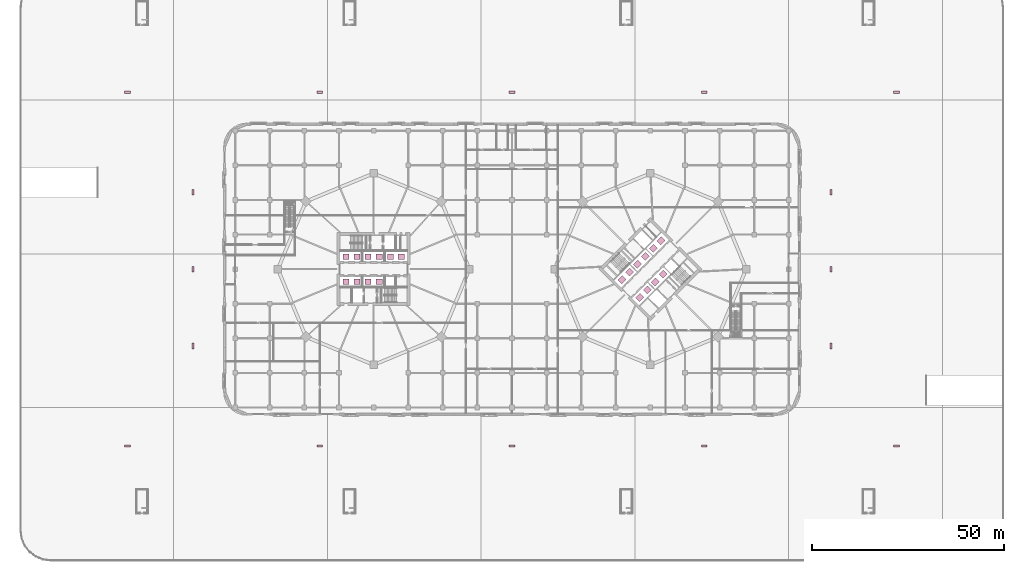
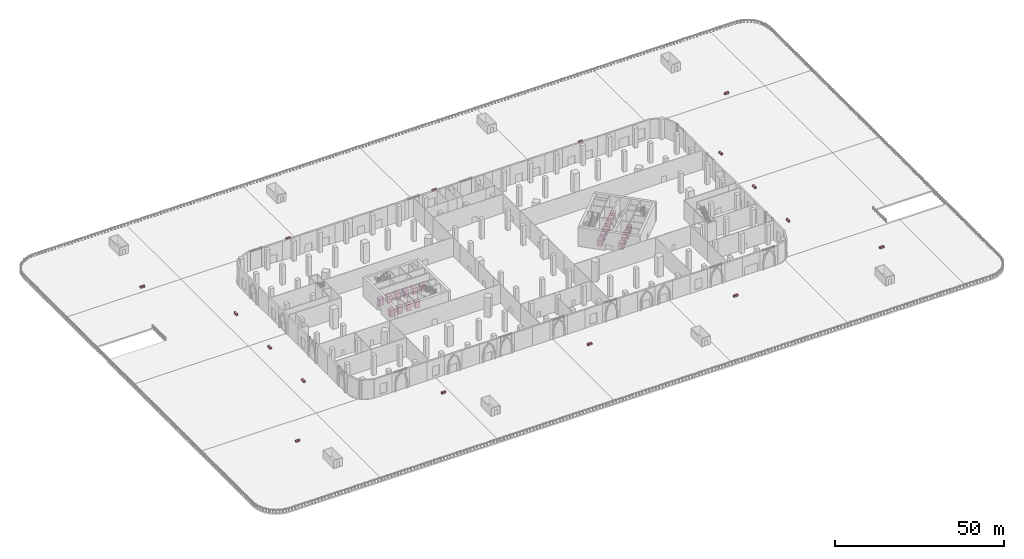
# One storey, part 48 of 48: 20 transport elements, 16 furniture elements.
"""IFC4 building model written with IfcOpenShell, lengths in metres."""

import ifcopenshell
import ifcopenshell.guid

model = None  # the IFC model being written
_history = None  # IfcOwnerHistory: only IFC2X3 demands one
_inside = {}  # id of a spatial element -> (the spatial element, [elements in it])
_under = {}  # id of a project, library or spatial element -> (it, [spatial elements below it])
_declared = {}  # id of a project -> (the project, [libraries it declares])
_typed = {}  # id of a type object -> (the type object, [elements of that type])
_made_of = {}  # id of a material, layer set ... -> (it, [elements and type objects made of it])


def new_model(schema):
    """Start an empty IFC model of exactly this schema.

    Asked for "IFC4X3", IfcOpenShell would pick the latest addendum, in which some entities
    have other attributes; the version numbers below select the first issue.
    IFC2X3 requires an IfcOwnerHistory on every rooted entity: one is made here for all.
    """
    global model, _history
    if schema == "IFC4X3":
        model = ifcopenshell.file(schema_version=(4, 3, 0, 0))
    else:
        model = ifcopenshell.file(schema=schema)
    _inside.clear()
    _under.clear()
    _declared.clear()
    _typed.clear()
    _made_of.clear()
    _history = None
    if model.schema == "IFC2X3":
        org = make("IfcOrganization", Name="unknown")
        user = make(
            "IfcPersonAndOrganization",
            ThePerson=make("IfcPerson", FamilyName="unknown"),
            TheOrganization=org,
        )
        app = make(
            "IfcApplication",
            ApplicationDeveloper=org,
            Version="unknown",
            ApplicationFullName="unknown",
            ApplicationIdentifier="unknown",
        )
        _history = make(
            "IfcOwnerHistory",
            OwningUser=user,
            OwningApplication=app,
            ChangeAction="ADDED",
            CreationDate=0,
        )
    return model


def make(cls, **values):
    """One entity of the class cls with the attributes given. An attribute that is None is left unset."""
    return model.create_entity(
        cls, **{name: value for name, value in values.items() if value is not None}
    )


def rooted(cls, **values):
    """An entity with a GlobalId (a new one), such as an element, a storey or a relation."""
    return make(cls, GlobalId=ifcopenshell.guid.new(), OwnerHistory=_history, **values)


def si_unit(unit_type, name, prefix=None):
    """IfcSIUnit, for example si_unit("LENGTHUNIT", "METRE", prefix="MILLI")."""
    return make("IfcSIUnit", UnitType=unit_type, Prefix=prefix, Name=name)


def assignment(units):
    """IfcUnitAssignment: the units of a project."""
    return None if units is None else make("IfcUnitAssignment", Units=units)


def point(xyz):
    """IfcCartesianPoint."""
    return None if xyz is None else make("IfcCartesianPoint", Coordinates=xyz)


def direction(xyz):
    """IfcDirection."""
    return None if xyz is None else make("IfcDirection", DirectionRatios=xyz)


def frame(location, z_axis=None, x_axis=None):
    """IfcAxis2Placement3D, a coordinate frame: its origin and axes. An axis left out is left unset."""
    return make(
        "IfcAxis2Placement3D",
        Location=point(location),
        Axis=direction(z_axis),
        RefDirection=direction(x_axis),
    )


def frame_2d(location, x_axis=None):
    """IfcAxis2Placement2D, a coordinate frame in the plane: its origin and x axis."""
    return make(
        "IfcAxis2Placement2D", Location=point(location), RefDirection=direction(x_axis)
    )


def origin():
    """The frame at (0, 0, 0) with its axes left unset."""
    return frame((0.0, 0.0, 0.0))


def origin_2d():
    """The frame at (0, 0) in the plane with its x axis left unset."""
    return frame_2d((0.0, 0.0))


def place(relative_to, where):
    """IfcLocalPlacement: puts the frame where relative to a parent placement (None: the world)."""
    return make(
        "IfcLocalPlacement", PlacementRelTo=relative_to, RelativePlacement=where
    )


def context(
    kind, dimensions, precision=None, world=None, true_north=None, identifier=None
):
    """IfcGeometricRepresentationContext, for example the 3D "Model" context."""
    return make(
        "IfcGeometricRepresentationContext",
        ContextIdentifier=identifier,
        ContextType=kind,
        CoordinateSpaceDimension=dimensions,
        Precision=precision,
        WorldCoordinateSystem=world,
        TrueNorth=true_north,
    )


def subcontext(parent, identifier, kind, view, scale=None):
    """IfcGeometricRepresentationSubContext, for example "Body" below "Model"."""
    return make(
        "IfcGeometricRepresentationSubContext",
        ContextIdentifier=identifier,
        ContextType=kind,
        ParentContext=parent,
        TargetScale=scale,
        TargetView=view,
    )


def project(units=None, contexts=None):
    """IfcProject with its units and contexts."""
    return rooted(
        "IfcProject",
        Name="project",
        RepresentationContexts=contexts,
        UnitsInContext=assignment(units),
    )


def spatial(cls, under=None, at=None, **own):
    """A site, building, storey or space (cls), placed at a placement, below another one or the project."""
    s = rooted(cls, ObjectPlacement=at, **own)
    if under is not None:
        _under.setdefault(under.id(), (under, []))[1].append(s)
    return s


def profile(cls, at=None, kind="AREA", **sizes):
    """A parametric profile (cls). Its sizes go by their IFC names, for example OverallWidth=200.0."""
    return make(cls, ProfileType=kind, Position=at, **sizes)


def rectangle(**sizes):
    """IfcRectangleProfileDef."""
    return profile("IfcRectangleProfileDef", **sizes)


def extrude(swept, where, along, depth):
    """IfcExtrudedAreaSolid: the profile swept, set in the frame where, extruded along a direction by depth."""
    return make(
        "IfcExtrudedAreaSolid",
        SweptArea=swept,
        Position=where,
        ExtrudedDirection=direction(along),
        Depth=depth,
    )


def shape(context_of_items, identifier, shape_type, items):
    """IfcShapeRepresentation: the items that make up one representation, for example the "Body"."""
    return make(
        "IfcShapeRepresentation",
        ContextOfItems=context_of_items,
        RepresentationIdentifier=identifier,
        RepresentationType=shape_type,
        Items=items,
    )


def material(Name=None, Category=None):
    """IfcMaterial."""
    return make("IfcMaterial", Name=Name, Category=Category)


def made_of(thing, what):
    """Note that an element or type object is made of a material, layer set ...; save() writes the relation."""
    if what is not None:
        _made_of.setdefault(what.id(), (what, []))[1].append(thing)
    return thing


def type_object(cls, material=None, **own):
    """A type object (cls), such as IfcWallType, which elements share."""
    return made_of(rooted(cls, **own), material)


def element(
    cls,
    number,
    at=None,
    inside=None,
    cuts=None,
    type_object=None,
    material=None,
    context=None,
    identifier="Body",
    shape_type=None,
    held_by="IfcProductDefinitionShape",
    body=None,
    shapes=None,
    **own,
):
    """One element of the class cls, such as IfcWall. Its Tag is "e" and its number.

    at: its placement. inside: the storey or other place that contains it. cuts: it is an
    opening in that element (IfcRelVoidsElement). A single representation is given by context,
    identifier, shape_type and body (its items); several are given by shapes. held_by: the class
    of the entity that holds the representations. save() writes the other relations.
    """
    e = rooted(cls, Tag="e%d" % number, ObjectPlacement=at, **own)
    if body is not None:
        shapes = [shape(context, identifier, shape_type, body)]
    if shapes is not None:
        e.Representation = make(held_by, Representations=shapes)
    if inside is not None:
        _inside.setdefault(inside.id(), (inside, []))[1].append(e)
    if cuts is not None:
        rooted(
            "IfcRelVoidsElement", RelatingBuildingElement=cuts, RelatedOpeningElement=e
        )
    if type_object is not None:
        _typed.setdefault(type_object.id(), (type_object, []))[1].append(e)
    return made_of(e, material)


def aggregate(whole, parts):
    """IfcRelAggregates: a whole, such as a stair, and the parts it consists of."""
    return rooted("IfcRelAggregates", RelatingObject=whole, RelatedObjects=parts)


def save(model, path):
    """Write the relations noted so far, then the file.

    IfcRelAggregates (storeys below a building ...), IfcRelContainedInSpatialStructure (elements
    in a storey), IfcRelDefinesByType, IfcRelAssociatesMaterial and IfcRelDeclares: one each for
    every whole, place, type object, material and project.
    """
    for whole, parts in _under.values():
        aggregate(whole, parts)
    for where, things in _inside.values():
        rooted(
            "IfcRelContainedInSpatialStructure",
            RelatedElements=things,
            RelatingStructure=where,
        )
    for kind, things in _typed.values():
        rooted("IfcRelDefinesByType", RelatedObjects=things, RelatingType=kind)
    for what, things in _made_of.values():
        rooted("IfcRelAssociatesMaterial", RelatedObjects=things, RelatingMaterial=what)
    for by, libraries in _declared.values():
        rooted("IfcRelDeclares", RelatingContext=by, RelatedDefinitions=libraries)
    model.write(path)


model = new_model("IFC4")

# Units and contexts
model_context = context("Model", 3, precision=1e-05, world=origin(), true_north=direction((0.0, 1.0)))
body_context = subcontext(model_context, "Body", "Model", "MODEL_VIEW")
ifc_project = project(units=[si_unit("LENGTHUNIT", "METRE"), si_unit("AREAUNIT", "SQUARE_METRE"), si_unit("VOLUMEUNIT", "CUBIC_METRE"), si_unit("PLANEANGLEUNIT", "RADIAN"), si_unit("MASSUNIT", "GRAM", prefix="KILO")], contexts=[model_context])

# Site, building, storey
site_placement = place(None, origin())
site = spatial("IfcSite", under=ifc_project, at=site_placement, CompositionType="ELEMENT")
building_placement = place(site_placement, origin())
building = spatial("IfcBuilding", under=site, at=building_placement, Name="Ogive Gate Towers", CompositionType="ELEMENT")
storey_placement = place(building_placement, origin())
storey = spatial("IfcBuildingStorey", under=building, at=storey_placement, Name="L00", CompositionType="ELEMENT", Elevation=0.0)

# Transport elements
ifc_material_1 = material(Name="Stainless steel and glass lift car", Category="steel")
transport_element_type = type_object("IfcTransportElementType", Name="Passenger lift car 1600 x 1500", PredefinedType="ELEVATOR", material=ifc_material_1)
for number, where, z_axis, x_axis, name in (
    (1, (-43.1875, 3.25, 0.0), (0.0, 0.0, 1.0), (1.0, 0.0, 0.0), "Passenger lift T1-A1"),
    (2, (-40.35009765625, 3.25, 0.0), (0.0, 0.0, 1.0), (1.0, 0.0, 0.0), "Passenger lift T1-A2"),
    (3, (-37.449951171875, 3.25, 0.0), (0.0, 0.0, 1.0), (1.0, 0.0, 0.0), "Passenger lift T1-A3"),
    (4, (-34.550048828125, 3.25, 0.0), (0.0, 0.0, 1.0), (1.0, 0.0, 0.0), "Passenger lift T1-A4"),
    (5, (-31.64990234375, 3.25, 0.0), (0.0, 0.0, 1.0), (1.0, 0.0, 0.0), "Passenger lift T1-A5"),
    (6, (-28.8125, 3.25, 0.0), (0.0, 0.0, 1.0), (1.0, 0.0, 0.0), "Passenger lift T1-A6"),
    (7, (-43.1875, -3.25, 0.0), (0.0, 0.0, 1.0), (1.0, 0.0, 0.0), "Passenger lift T1-S1"),
    (8, (-40.35009765625, -3.25, 0.0), (0.0, 0.0, 1.0), (1.0, 0.0, 0.0), "Passenger lift T1-S2"),
    (9, (-37.449951171875, -3.25, 0.0), (0.0, 0.0, 1.0), (1.0, 0.0, 0.0), "Passenger lift T1-S3"),
    (10, (-34.550048828125, -3.25, 0.0), (0.0, 0.0, 1.0), (1.0, 0.0, 0.0), "Passenger lift T1-S4"),
    (11, (28.61962890625, -2.7841796875, 0.0), (0.0, 0.0, 1.0), (0.707106781187, 0.707106781187, 0.0), "Passenger lift T2-A1"),
    (12, (30.6259765625, -0.77783203125, 0.0), (0.0, 0.0, 1.0), (0.707106781187, 0.707106781187, 0.0), "Passenger lift T2-A2"),
    (13, (32.676513671875, 1.272705078125, 0.0), (0.0, 0.0, 1.0), (0.707106781187, 0.707106781187, 0.0), "Passenger lift T2-A3"),
    (14, (34.727294921875, 3.323486328125, 0.0), (0.0, 0.0, 1.0), (0.707106781187, 0.707106781187, 0.0), "Passenger lift T2-A4"),
    (15, (36.77783203125, 5.3740234375, 0.0), (0.0, 0.0, 1.0), (0.707106781187, 0.707106781187, 0.0), "Passenger lift T2-A5"),
    (16, (38.7841796875, 7.38037109375, 0.0), (0.0, 0.0, 1.0), (0.707106781187, 0.707106781187, 0.0), "Passenger lift T2-A6"),
    (17, (33.2158203125, -7.38037109375, 0.0), (0.0, 0.0, 1.0), (0.707106781187, 0.707106781187, 0.0), "Passenger lift T2-S1"),
    (18, (35.22216796875, -5.3740234375, 0.0), (0.0, 0.0, 1.0), (0.707106781187, 0.707106781187, 0.0), "Passenger lift T2-S2"),
    (19, (37.272705078125, -3.323486328125, 0.0), (0.0, 0.0, 1.0), (0.707106781187, 0.707106781187, 0.0), "Passenger lift T2-S3"),
    (20, (39.323486328125, -1.272705078125, 0.0), (0.0, 0.0, 1.0), (0.707106781187, 0.707106781187, 0.0), "Passenger lift T2-S4"),
):
    element("IfcTransportElement", number, at=place(storey_placement, frame(where, z_axis=z_axis, x_axis=x_axis)), inside=storey, type_object=transport_element_type, Name=name, PredefinedType="ELEVATOR", context=body_context, shape_type="SweptSolid", body=[
        extrude(rectangle(XDim=1.60009765625, YDim=1.5, at=origin_2d()), origin(), (0.0, 0.0, 1.0), 2.39990234375),
    ])

# Furniture
ifc_material_2 = material(Name="Precast concrete C40/50", Category="concrete")
furniture_type = type_object("IfcFurnitureType", Name="Planter 1500 x 600", AssemblyPlace="NOTDEFINED", PredefinedType="USERDEFINED", material=ifc_material_2)
for number, where, z_axis, x_axis, name in (
    (21, (-100.0, -46.0, 0.119873046875), (0.0, 0.0, 1.0), (1.0, 0.0, 0.0), "Planter"),
    (22, (-100.0, 46.0, 0.119873046875), (0.0, 0.0, 1.0), (1.0, 0.0, 0.0), "Planter"),
    (23, (-50.0, -46.0, 0.119873046875), (0.0, 0.0, 1.0), (1.0, 0.0, 0.0), "Planter"),
    (24, (-50.0, 46.0, 0.119873046875), (0.0, 0.0, 1.0), (1.0, 0.0, 0.0), "Planter"),
    (25, (0.0, -46.0, 0.119873046875), (0.0, 0.0, 1.0), (1.0, 0.0, 0.0), "Planter"),
    (26, (0.0, 46.0, 0.119873046875), (0.0, 0.0, 1.0), (1.0, 0.0, 0.0), "Planter"),
    (27, (50.0, -46.0, 0.119873046875), (0.0, 0.0, 1.0), (1.0, 0.0, 0.0), "Planter"),
    (28, (50.0, 46.0, 0.119873046875), (0.0, 0.0, 1.0), (1.0, 0.0, 0.0), "Planter"),
    (29, (100.0, -46.0, 0.119873046875), (0.0, 0.0, 1.0), (1.0, 0.0, 0.0), "Planter"),
    (30, (100.0, 46.0, 0.119873046875), (0.0, 0.0, 1.0), (1.0, 0.0, 0.0), "Planter"),
    (31, (-83.0, -20.0, 0.119873046875), (0.0, 0.0, 1.0), (0.0, 1.0, 0.0), "Planter"),
    (32, (83.0, -20.0, 0.119873046875), (0.0, 0.0, 1.0), (0.0, 1.0, 0.0), "Planter"),
    (33, (-83.0, 0.0, 0.119873046875), (0.0, 0.0, 1.0), (0.0, 1.0, 0.0), "Planter"),
    (34, (83.0, 0.0, 0.119873046875), (0.0, 0.0, 1.0), (0.0, 1.0, 0.0), "Planter"),
    (35, (-83.0, 20.0, 0.119873046875), (0.0, 0.0, 1.0), (0.0, 1.0, 0.0), "Planter"),
    (36, (83.0, 20.0, 0.119873046875), (0.0, 0.0, 1.0), (0.0, 1.0, 0.0), "Planter"),
):
    element("IfcFurniture", number, at=place(storey_placement, frame(where, z_axis=z_axis, x_axis=x_axis)), inside=storey, type_object=furniture_type, Name=name, ObjectType="PLANTER", PredefinedType="USERDEFINED", context=body_context, shape_type="SweptSolid", body=[
        extrude(rectangle(XDim=1.5, YDim=0.60009765625, at=origin_2d()), origin(), (0.0, 0.0, 1.0), 0.60009765625),
    ])

save(model, "model.ifc")
